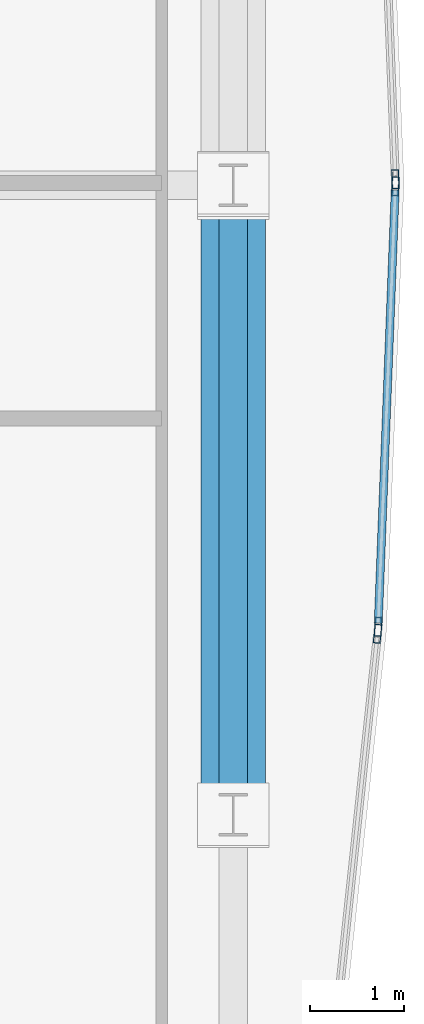
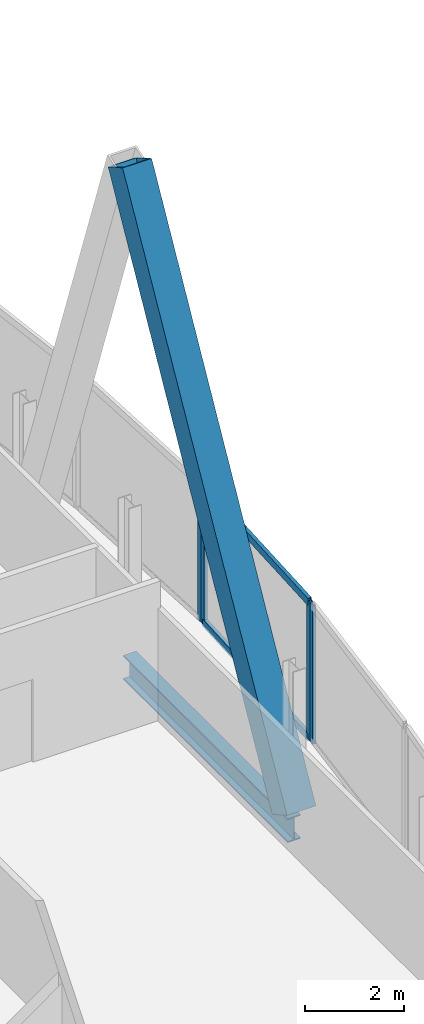
# One storey, part 18 of 31: 7 members, 1 beam, 3 elements without a shape of their own.
"""IFC4 building model written with IfcOpenShell, lengths in metres."""

from ifc_helpers import new_model, si_unit, direction, frame, origin, origin_2d, place, context, subcontext, project, spatial, hollow_rectangle, i_section, extrude, material, material_profile, profile_set, type_object, element, aggregate, save


model = new_model("IFC4")

# Units and contexts
model_context = context("Model", 3, precision=1e-05, world=origin(), true_north=direction((0.0, 1.0)))
body_context = subcontext(model_context, "Body", "Model", "MODEL_VIEW")
ifc_project = project(units=[si_unit("LENGTHUNIT", "METRE"), si_unit("AREAUNIT", "SQUARE_METRE"), si_unit("VOLUMEUNIT", "CUBIC_METRE"), si_unit("PLANEANGLEUNIT", "RADIAN"), si_unit("MASSUNIT", "GRAM", prefix="KILO")], contexts=[model_context])

# Site, building, storey
site_placement = place(None, origin())
site = spatial("IfcSite", under=ifc_project, at=site_placement, CompositionType="ELEMENT")
building_placement = place(site_placement, origin())
building = spatial("IfcBuilding", under=site, at=building_placement, Name="Khoronbel Lancet Exchange", CompositionType="ELEMENT")
storey_placement = place(building_placement, frame((0.0, 0.0, 249.800048828125)))
storey = spatial("IfcBuildingStorey", under=building, at=storey_placement, Name="L64", CompositionType="ELEMENT", Elevation=249.800048828125)

# Beam
ifc_material_1 = material(Name="Steel S355", Category="steel")
ifc_material_profile_1 = material_profile(ifc_material_1, i_section(OverallWidth=0.300048828125, OverallDepth=0.60009765625, WebThickness=0.015380859375, FlangeThickness=0.030029296875, at=origin_2d()), Name="HEB 600")
ifc_profile_set_1 = profile_set([ifc_material_profile_1], Name="Steel S355")
beam_type = type_object("IfcBeamType", Name="BM-BSP2", PredefinedType="SPANDREL", material=ifc_profile_set_1)
beam_placement = place(storey_placement, frame((63.6298828125, 24.75, -0.4599609375), z_axis=(0.0, 1.0, 0.0), x_axis=(-1.0, 0.0, 0.0)))
element("IfcBeam", 1, at=beam_placement, inside=storey, type_object=beam_type, Name="Level L64 perimeter spandrel beam SP12", PredefinedType="SPANDREL", context=body_context, shape_type="SweptSolid", body=[
    extrude(i_section(OverallWidth=0.300048828125, OverallDepth=0.60009765625, WebThickness=0.015380859375, FlangeThickness=0.030029296875, at=origin_2d()), origin(), (0.0, 0.0, 1.0), 6.675048828125),
])

# Curtain wall, member
ifc_material_2 = material(Name="Low-E Solar Control Insulating Glass", Category="glass")
curtain_wall_type = type_object("IfcCurtainWallType", Name="CW-4", PredefinedType="NOTDEFINED", material=ifc_material_2)
curtain_wall_1_placement = place(storey_placement, origin())
curtain_wall_1 = element("IfcCurtainWall", 2, at=curtain_wall_1_placement, inside=storey, type_object=curtain_wall_type, Name="Unitised curtain wall CW-L64-E19", PredefinedType="NOTDEFINED")
ifc_material_3 = material(Name="Bronze-Anodised Aluminium 6063-T6", Category="aluminium")
ifc_material_profile_2 = material_profile(ifc_material_3, hollow_rectangle(XDim=0.074951171875, YDim=0.199951171875, WallThickness=0.0048828125, at=origin_2d()), Name="ALU MULLION 75x200")
ifc_profile_set_2 = profile_set([ifc_material_profile_2], Name="Bronze-Anodised Aluminium 6063-T6")
member_type_1 = type_object("IfcMemberType", Name="MEM-CWM2", PredefinedType="MULLION", material=ifc_profile_set_2)
member_1_placement = place(storey_placement, frame((65.348388671875, 31.487548828125, 0.0), z_axis=(0.0, 0.0, 1.0), x_axis=(0.999232904661, 0.039161233927, 0.0)))
member_1 = element("IfcMember", 3, at=member_1_placement, type_object=member_type_1, Name="CW4 mullion 2", PredefinedType="MULLION", context=body_context, shape_type="SweptSolid", body=[
    extrude(hollow_rectangle(XDim=0.074951171875, YDim=0.199951171875, WallThickness=0.0048828125, at=origin_2d()), origin(), (0.0, 0.0, 1.0), 3.43994140625),
])
aggregate(curtain_wall_1, [member_1])

# Curtain wall, members
curtain_wall_2_placement = place(storey_placement, origin())
curtain_wall_2 = element("IfcCurtainWall", 4, at=curtain_wall_2_placement, inside=storey, type_object=curtain_wall_type, Name="Unitised curtain wall CW-L64-E20", PredefinedType="NOTDEFINED")
member_2_placement = place(storey_placement, frame((65.348388671875, 31.41259765625, 0.0), z_axis=(0.0, 0.0, 1.0), x_axis=(0.999232904661, -0.039161233927, 0.0)))
member_2 = element("IfcMember", 5, at=member_2_placement, type_object=member_type_1, Name="CW4 mullion 1", PredefinedType="MULLION", context=body_context, shape_type="SweptSolid", body=[
    extrude(hollow_rectangle(XDim=0.074951171875, YDim=0.199951171875, WallThickness=0.0048828125, at=origin_2d()), origin(), (0.0, 0.0, 1.0), 3.43994140625),
])
member_3_placement = place(storey_placement, frame((65.165283203125, 26.744140625, 0.0), z_axis=(0.0, 0.0, 1.0), x_axis=(0.999232904661, -0.039161233927, 0.0)))
member_3 = element("IfcMember", 6, at=member_3_placement, type_object=member_type_1, Name="CW4 mullion 2", PredefinedType="MULLION", context=body_context, shape_type="SweptSolid", body=[
    extrude(hollow_rectangle(XDim=0.074951171875, YDim=0.199951171875, WallThickness=0.0048828125, at=origin_2d()), origin(), (0.0, 0.0, 1.0), 3.43994140625),
])

# Curtain wall, member
curtain_wall_3_placement = place(storey_placement, origin())
curtain_wall_3 = element("IfcCurtainWall", 7, at=curtain_wall_3_placement, inside=storey, type_object=curtain_wall_type, Name="Unitised curtain wall CW-L64-E21", PredefinedType="NOTDEFINED")
member_4_placement = place(storey_placement, frame((65.159912109375, 26.66943359375, 0.0), z_axis=(0.0, 0.0, 1.0), x_axis=(0.994311928022, -0.106507228834, 0.0)))
member_4 = element("IfcMember", 8, at=member_4_placement, type_object=member_type_1, Name="CW4 mullion 1", PredefinedType="MULLION", context=body_context, shape_type="SweptSolid", body=[
    extrude(hollow_rectangle(XDim=0.074951171875, YDim=0.199951171875, WallThickness=0.0048828125, at=origin_2d()), origin(), (0.0, 0.0, 1.0), 3.43994140625),
])
aggregate(curtain_wall_3, [member_4])

# Member
ifc_material_profile_3 = material_profile(ifc_material_3, hollow_rectangle(XDim=0.0849609375, YDim=0.179931640625, WallThickness=0.0048828125, at=origin_2d()), Name="ALU TRANSOM 85x180")
ifc_profile_set_3 = profile_set([ifc_material_profile_3], Name="Bronze-Anodised Aluminium 6063-T6")
member_type_2 = type_object("IfcMemberType", Name="MEM-CWT1", PredefinedType="USERDEFINED", material=ifc_profile_set_3)
member_5_placement = place(storey_placement, frame((65.346923828125, 31.375, 0.04248046875), z_axis=(-0.039193884607, -0.999231624504, 0.0), x_axis=(0.999231624504, -0.039193884607, 0.0)))
member_5 = element("IfcMember", 9, at=member_5_placement, type_object=member_type_2, Name="CW4 transom 1.1", ObjectType="TRANSOM", PredefinedType="USERDEFINED", context=body_context, shape_type="SweptSolid", body=[
    extrude(hollow_rectangle(XDim=0.0849609375, YDim=0.179931640625, WallThickness=0.0048828125, at=origin_2d()), origin(), (0.0, 0.0, 1.0), 4.596923828125),
])

member_6_placement = place(storey_placement, frame((65.346923828125, 31.375, 3.3974609375), z_axis=(-0.039193884607, -0.999231624504, 0.0), x_axis=(0.999231624504, -0.039193884607, 0.0)))
member_6 = element("IfcMember", 10, at=member_6_placement, type_object=member_type_2, Name="CW4 transom 1.2", ObjectType="TRANSOM", PredefinedType="USERDEFINED", context=body_context, shape_type="SweptSolid", body=[
    extrude(hollow_rectangle(XDim=0.0849609375, YDim=0.179931640625, WallThickness=0.0048828125, at=origin_2d()), origin(), (0.0, 0.0, 1.0), 4.596923828125),
])

aggregate(curtain_wall_2, [member_2, member_3, member_5, member_6])

ifc_material_4 = material(Name="Steel S460", Category="steel")
ifc_material_profile_4 = material_profile(ifc_material_4, hollow_rectangle(XDim=0.679931640625, YDim=0.679931640625, WallThickness=0.044921875, at=origin_2d()), Name="BOX 680x680x45")
ifc_profile_set_4 = profile_set([ifc_material_profile_4], Name="Steel S460")
member_type_3 = type_object("IfcMemberType", Name="MEM-MB3", PredefinedType="BRACE", material=ifc_profile_set_4)
member_7_placement = place(storey_placement, frame((63.6298828125, 24.75, 0.0), z_axis=(0.0, 0.486109322328, 0.873898007061), x_axis=(-1.0, 0.0, 0.0)))
element("IfcMember", 11, at=member_7_placement, inside=storey, type_object=member_type_3, Name="Perimeter lancet brace tier 22 E-P-L", PredefinedType="BRACE", context=body_context, shape_type="SweptSolid", body=[
    extrude(hollow_rectangle(XDim=0.679931640625, YDim=0.679931640625, WallThickness=0.044921875, at=origin_2d()), origin(), (0.0, 0.0, 1.0), 13.731689453125),
])

save(model, "model.ifc")
